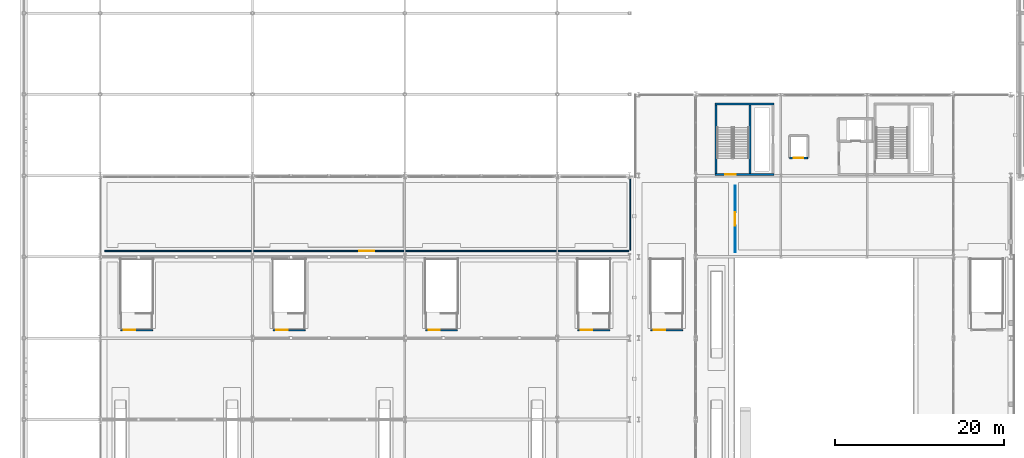
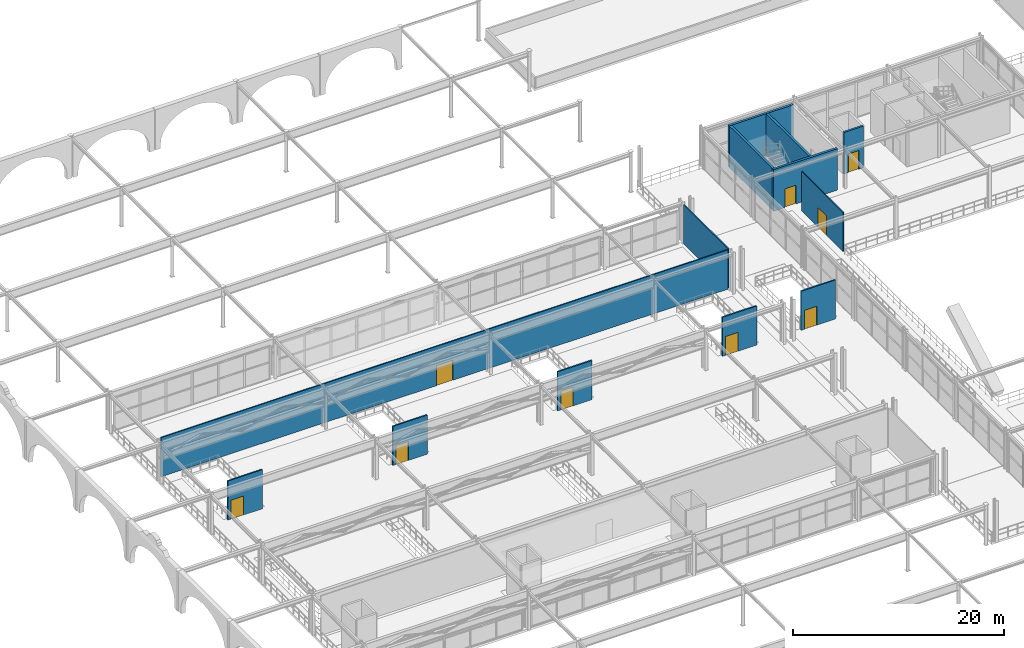
# One storey, part 76 of 125: 13 walls, 9 doors, 9 openings.
"""IFC4 building model written with IfcOpenShell, lengths in metres."""

from ifc_helpers import new_model, si_unit, direction, frame, frame_2d, origin, place, context, subcontext, project, spatial, rectangle, extrude, material, layer, layer_set, type_object, element, fill, save


model = new_model("IFC4")

# Units and contexts
model_context = context("Model", 3, precision=1e-05, world=origin(), true_north=direction((0.0, 1.0)))
body_context = subcontext(model_context, "Body", "Model", "MODEL_VIEW")
ifc_project = project(units=[si_unit("LENGTHUNIT", "METRE"), si_unit("AREAUNIT", "SQUARE_METRE"), si_unit("VOLUMEUNIT", "CUBIC_METRE"), si_unit("PLANEANGLEUNIT", "RADIAN"), si_unit("MASSUNIT", "GRAM", prefix="KILO")], contexts=[model_context])

# Site, building, storey
site_placement = place(None, origin())
site = spatial("IfcSite", under=ifc_project, at=site_placement, CompositionType="ELEMENT")
building_placement = place(site_placement, origin())
building = spatial("IfcBuilding", under=site, at=building_placement, Name="Myrtia Square Station", CompositionType="ELEMENT")
storey_placement = place(building_placement, frame((0.0, 0.0, 6.0)))
storey = spatial("IfcBuildingStorey", under=building, at=storey_placement, Name="L01", CompositionType="ELEMENT", Elevation=6.0)

# Wall, opening, door
ifc_material_1 = material(Name="Concrete C35/45", Category="concrete")
ifc_layer_1 = layer(ifc_material_1, 0.25, Name="Concrete C35/45")
ifc_layer_set_1 = layer_set([ifc_layer_1], Name="Concrete C35/45")
wall_type_1 = type_object("IfcWallType", Name="WL-CORE-250", PredefinedType="SHEAR", material=ifc_layer_set_1)
wall_1_placement = place(storey_placement, frame((81.60009765625, 86.52490234375, 0.0), z_axis=(0.0, 0.0, 1.0), x_axis=(1.0, 0.0, 0.0)))
wall_1 = element("IfcWall", 1, at=wall_1_placement, inside=storey, type_object=wall_type_1, Name="Core K2 shear wall L01 S", PredefinedType="SHEAR", context=body_context, shape_type="SweptSolid", body=[
    extrude(rectangle(XDim=7.0, YDim=0.25, at=frame_2d((3.5, 0.0))), origin(), (0.0, 0.0, 1.0), 4.800048828125),
])
opening_1_placement = place(wall_1_placement, frame((1.25, 0.0, 0.0)))
opening_1 = element("IfcOpeningElement", 2, at=opening_1_placement, cuts=wall_1, Name="Opening SD-015", PredefinedType="OPENING", context=body_context, shape_type="SweptSolid", body=[
    extrude(rectangle(XDim=1.199951171875, YDim=2.14990234375, at=frame_2d((0.60009765625, 1.074951171875))), frame((0.0, 0.139892578125, 0.0), z_axis=(0.0, -1.0, 0.0), x_axis=(1.0, 0.0, 0.0)), (0.0, 0.0, 1.0), 0.280029296875),
])
ifc_material_2 = material(Name="Dark bronze anodised aluminium", Category="aluminium")
door_type_1 = type_object("IfcDoorType", Name="DR-STAIR-1200x2150", OperationType="NOTDEFINED", PredefinedType="DOOR", material=ifc_material_2)
door_1_placement = place(opening_1_placement, origin())
door_1 = element("IfcDoor", 3, at=door_1_placement, inside=storey, type_object=door_type_1, Name="Protected stair fire door K2 L01", OperationType="SINGLE_SWING_LEFT", OverallHeight=2.14990234375, OverallWidth=1.199951171875, PredefinedType="DOOR", context=body_context, shape_type="SweptSolid", body=[
    extrude(rectangle(XDim=1.199951171875, YDim=2.14990234375, at=frame_2d((0.60009765625, 1.074951171875))), frame((0.0, 0.02490234375, 0.0), z_axis=(0.0, -1.0, 0.0), x_axis=(1.0, 0.0, 0.0)), (0.0, 0.0, 1.0), 0.050048828125),
])
fill(opening_1, door_1)

# Walls
wall_2_placement = place(storey_placement, frame((81.60009765625, 94.875, 0.0), z_axis=(0.0, 0.0, 1.0), x_axis=(1.0, 0.0, 0.0)))
element("IfcWall", 4, at=wall_2_placement, inside=storey, type_object=wall_type_1, Name="Core K2 shear wall L01 N", PredefinedType="SHEAR", context=body_context, shape_type="SweptSolid", body=[
    extrude(rectangle(XDim=7.0, YDim=0.25, at=frame_2d((3.5, 0.0))), origin(), (0.0, 0.0, 1.0), 4.800048828125),
])
wall_3_placement = place(storey_placement, frame((81.72509765625, 86.39990234375, 0.0), z_axis=(0.0, 0.0, 1.0), x_axis=(0.0, 1.0, 0.0)))
element("IfcWall", 5, at=wall_3_placement, inside=storey, type_object=wall_type_1, Name="Core K2 shear wall L01 W", PredefinedType="SHEAR", context=body_context, shape_type="SweptSolid", body=[
    extrude(rectangle(XDim=8.60009765625, YDim=0.25, at=frame_2d((4.300048828125, 0.0))), origin(), (0.0, 0.0, 1.0), 4.800048828125),
])
wall_4_placement = place(storey_placement, frame((85.739990234375, 86.60009765625, 0.0), z_axis=(0.0, 0.0, 1.0), x_axis=(0.0, 1.0, 0.0)))
element("IfcWall", 6, at=wall_4_placement, inside=storey, type_object=wall_type_1, Name="Core K2 shear wall L01 D", PredefinedType="SHEAR", context=body_context, shape_type="SweptSolid", body=[
    extrude(rectangle(XDim=8.199951171875, YDim=0.25, at=frame_2d((4.10009765625, 0.0))), origin(), (0.0, 0.0, 1.0), 4.800048828125),
])

# Wall, opening, door
ifc_layer_2 = layer(ifc_material_1, 0.219970703125, Name="Concrete C35/45")
ifc_layer_set_2 = layer_set([ifc_layer_2], Name="Concrete C35/45")
wall_type_2 = type_object("IfcWallType", Name="WL-LIFT-220", PredefinedType="SHEAR", material=ifc_layer_set_2)
wall_5_placement = place(storey_placement, frame((90.43994140625, 88.489990234375, 0.0), z_axis=(0.0, 0.0, 1.0), x_axis=(1.0, 0.0, 0.0)))
wall_5 = element("IfcWall", 7, at=wall_5_placement, inside=storey, type_object=wall_type_2, Name="Lift shaft wall PL-06 L01 -Y", PredefinedType="SHEAR", context=body_context, shape_type="SweptSolid", body=[
    extrude(rectangle(XDim=2.1201171875, YDim=0.219970703125, at=frame_2d((1.06005859375, 0.0))), origin(), (0.0, 0.0, 1.0), 4.800048828125),
])
opening_2_placement = place(wall_5_placement, frame((0.510009765625, 0.0, 0.0)))
opening_2 = element("IfcOpeningElement", 8, at=opening_2_placement, cuts=wall_5, Name="Opening LD-PL-06", PredefinedType="OPENING", context=body_context, shape_type="SweptSolid", body=[
    extrude(rectangle(XDim=1.10009765625, YDim=2.14990234375, at=frame_2d((0.550048828125, 1.074951171875))), frame((0.0, 0.125, 0.0), z_axis=(0.0, -1.0, 0.0), x_axis=(1.0, 0.0, 0.0)), (0.0, 0.0, 1.0), 0.25),
])
door_type_2 = type_object("IfcDoorType", Name="DR-LIFT-1100x2150", OperationType="NOTDEFINED", PredefinedType="DOOR", material=ifc_material_2)
door_2_placement = place(opening_2_placement, origin())
door_2 = element("IfcDoor", 9, at=door_2_placement, inside=storey, type_object=door_type_2, Name="Lift landing door PL-06 L01", OperationType="SLIDING_TO_RIGHT", OverallHeight=2.14990234375, OverallWidth=1.10009765625, PredefinedType="DOOR", context=body_context, shape_type="SweptSolid", body=[
    extrude(rectangle(XDim=1.10009765625, YDim=2.14990234375, at=frame_2d((0.550048828125, 1.074951171875))), frame((0.0, 0.02490234375, 0.0), z_axis=(0.0, -1.0, 0.0), x_axis=(1.0, 0.0, 0.0)), (0.0, 0.0, 1.0), 0.050048828125),
])
fill(opening_2, door_2)

ifc_material_3 = material(Name="Gypsum plasterboard")
ifc_layer_3 = layer(ifc_material_3, 0.10009765625, Name="Gypsum plasterboard")
ifc_layer_set_3 = layer_set([ifc_layer_3], Name="Gypsum plasterboard")
wall_type_3 = type_object("IfcWallType", Name="WL-PART-100", PredefinedType="PARTITIONING", material=ifc_layer_set_3)
wall_6_placement = place(storey_placement, frame((84.0, 77.35009765625, 0.0), z_axis=(0.0, 0.0, 1.0), x_axis=(0.0, 1.0, 0.0)))
wall_6 = element("IfcWall", 10, at=wall_6_placement, inside=storey, type_object=wall_type_3, Name="Interior partition wall L01-07", PredefinedType="PARTITIONING", context=body_context, shape_type="SweptSolid", body=[
    extrude(rectangle(XDim=7.824951171875, YDim=0.10009765625, at=frame_2d((3.91259765625, 0.0))), origin(), (0.0, 0.0, 1.0), 4.530029296875),
])
opening_3_placement = place(wall_6_placement, frame((3.113037109375, 0.0, 0.0)))
opening_3 = element("IfcOpeningElement", 11, at=opening_3_placement, cuts=wall_6, Name="Opening D-239", PredefinedType="OPENING", context=body_context, shape_type="SweptSolid", body=[
    extrude(rectangle(XDim=1.60009765625, YDim=2.25, at=frame_2d((0.800048828125, 1.125))), frame((0.0, 0.06494140625, 0.0), z_axis=(0.0, -1.0, 0.0), x_axis=(1.0, 0.0, 0.0)), (0.0, 0.0, 1.0), 0.130126953125),
])
door_type_3 = type_object("IfcDoorType", Name="DR-CORR-1600x2250", OperationType="NOTDEFINED", PredefinedType="DOOR", material=ifc_material_2)
door_3_placement = place(opening_3_placement, origin())
door_3 = element("IfcDoor", 12, at=door_3_placement, inside=storey, type_object=door_type_3, Name="North Express Rail Waiting Lounge door D-239", OperationType="DOUBLE_DOOR_SINGLE_SWING", OverallHeight=2.25, OverallWidth=1.60009765625, PredefinedType="DOOR", context=body_context, shape_type="SweptSolid", body=[
    extrude(rectangle(XDim=1.60009765625, YDim=2.25, at=frame_2d((0.800048828125, 1.125))), frame((0.0, 0.02490234375, 0.0), z_axis=(0.0, -1.0, 0.0), x_axis=(1.0, 0.0, 0.0)), (0.0, 0.0, 1.0), 0.050048828125),
])
fill(opening_3, door_3)

ifc_layer_4 = layer(ifc_material_3, 0.125, Name="Gypsum plasterboard")
ifc_layer_set_4 = layer_set([ifc_layer_4], Name="Gypsum plasterboard")
wall_type_4 = type_object("IfcWallType", Name="WL-PART-125", PredefinedType="PARTITIONING", material=ifc_layer_set_4)
wall_7_placement = place(storey_placement, frame((9.550048828125, 77.5, 0.0), z_axis=(0.0, 0.0, 1.0), x_axis=(1.0, 0.0, 0.0)))
wall_7 = element("IfcWall", 13, at=wall_7_placement, inside=storey, type_object=wall_type_4, Name="Interior partition wall L01-03", PredefinedType="PARTITIONING", context=body_context, shape_type="SweptSolid", body=[
    extrude(rectangle(XDim=61.89990234375, YDim=0.125, at=frame_2d((30.949951171875, 0.0))), origin(), (0.0, 0.0, 1.0), 4.530029296875),
])
opening_4_placement = place(wall_7_placement, frame((30.050048828125, 0.0, 0.0)))
opening_4 = element("IfcOpeningElement", 14, at=opening_4_placement, cuts=wall_7, Name="Opening D-237", PredefinedType="OPENING", context=body_context, shape_type="SweptSolid", body=[
    extrude(rectangle(XDim=1.800048828125, YDim=2.300048828125, at=frame_2d((0.89990234375, 1.14990234375))), frame((0.0, 0.077392578125, 0.0), z_axis=(0.0, -1.0, 0.0), x_axis=(1.0, 0.0, 0.0)), (0.0, 0.0, 1.0), 0.155029296875),
])
door_type_4 = type_object("IfcDoorType", Name="DR-CORR-1800x2300", OperationType="NOTDEFINED", PredefinedType="DOOR", material=ifc_material_2)
door_4_placement = place(opening_4_placement, frame((1.800048828125, 0.0, 0.0), z_axis=(0.0, 0.0, 1.0), x_axis=(-1.0, 0.0, 0.0)))
door_4 = element("IfcDoor", 15, at=door_4_placement, inside=storey, type_object=door_type_4, Name="Platform Interchange Waiting Gallery North door D-237", OperationType="DOUBLE_DOOR_SINGLE_SWING", OverallHeight=2.300048828125, OverallWidth=1.800048828125, PredefinedType="DOOR", context=body_context, shape_type="SweptSolid", body=[
    extrude(rectangle(XDim=1.800048828125, YDim=2.300048828125, at=frame_2d((0.89990234375, 1.14990234375))), frame((0.0, 0.02490234375, 0.0), z_axis=(0.0, -1.0, 0.0), x_axis=(1.0, 0.0, 0.0)), (0.0, 0.0, 1.0), 0.050048828125),
])
fill(opening_4, door_4)

# Wall
wall_8_placement = place(storey_placement, frame((71.60009765625, 77.5673828125, 0.0), z_axis=(0.0, 0.0, 1.0), x_axis=(0.0, 1.0, 0.0)))
element("IfcWall", 16, at=wall_8_placement, inside=storey, type_object=wall_type_4, Name="Room divider partition L01-03", PredefinedType="PARTITIONING", context=body_context, shape_type="SweptSolid", body=[
    extrude(rectangle(XDim=8.4775390625, YDim=0.125, at=frame_2d((4.23876953125, 0.0))), origin(), (0.0, 0.0, 1.0), 4.530029296875),
])

# Wall, opening, door
ifc_layer_5 = layer(ifc_material_3, 0.14990234375, Name="Gypsum plasterboard")
ifc_layer_set_5 = layer_set([ifc_layer_5], Name="Gypsum plasterboard")
wall_type_5 = type_object("IfcWallType", Name="WL-PART-150", PredefinedType="PARTITIONING", material=ifc_layer_set_5)
wall_9_placement = place(storey_placement, frame((11.43994140625, 68.14990234375, 0.0), z_axis=(0.0, 0.0, 1.0), x_axis=(1.0, 0.0, 0.0)))
wall_9 = element("IfcWall", 17, at=wall_9_placement, inside=storey, type_object=wall_type_5, Name="Interchange stair smoke vestibule wall 01 L01", PredefinedType="PARTITIONING", context=body_context, shape_type="SweptSolid", body=[
    extrude(rectangle(XDim=3.760009765625, YDim=0.14990234375, at=frame_2d((1.8798828125, 0.0))), origin(), (0.0, 0.0, 1.0), 4.530029296875),
])
opening_5_placement = place(wall_9_placement, frame((0.35009765625, 0.0, 0.0)))
opening_5 = element("IfcOpeningElement", 18, at=opening_5_placement, cuts=wall_9, Name="Opening SD-184", PredefinedType="OPENING", context=body_context, shape_type="SweptSolid", body=[
    extrude(rectangle(XDim=1.35009765625, YDim=2.199951171875, at=frame_2d((0.675048828125, 1.10009765625))), frame((0.0, 0.08984375, 0.0), z_axis=(0.0, -1.0, 0.0), x_axis=(1.0, 0.0, 0.0)), (0.0, 0.0, 1.0), 0.179931640625),
])
door_type_5 = type_object("IfcDoorType", Name="DR-STAIR-1350x2200", OperationType="NOTDEFINED", PredefinedType="DOOR", material=ifc_material_2)
door_5_placement = place(opening_5_placement, frame((1.35009765625, 0.0, 0.0), z_axis=(0.0, 0.0, 1.0), x_axis=(-1.0, 0.0, 0.0)))
door_5 = element("IfcDoor", 19, at=door_5_placement, inside=storey, type_object=door_type_5, Name="Interchange stair fire door 01 L01", OperationType="SINGLE_SWING_RIGHT", OverallHeight=2.199951171875, OverallWidth=1.35009765625, PredefinedType="DOOR", context=body_context, shape_type="SweptSolid", body=[
    extrude(rectangle(XDim=1.35009765625, YDim=2.199951171875, at=frame_2d((0.675048828125, 1.10009765625))), frame((0.0, 0.02490234375, 0.0), z_axis=(0.0, -1.0, 0.0), x_axis=(1.0, 0.0, 0.0)), (0.0, 0.0, 1.0), 0.050048828125),
])
fill(opening_5, door_5)

wall_10_placement = place(storey_placement, frame((29.43994140625, 68.14990234375, 0.0), z_axis=(0.0, 0.0, 1.0), x_axis=(1.0, 0.0, 0.0)))
wall_10 = element("IfcWall", 20, at=wall_10_placement, inside=storey, type_object=wall_type_5, Name="Interchange stair smoke vestibule wall 02 L01", PredefinedType="PARTITIONING", context=body_context, shape_type="SweptSolid", body=[
    extrude(rectangle(XDim=3.760009765625, YDim=0.14990234375, at=frame_2d((1.8798828125, 0.0))), origin(), (0.0, 0.0, 1.0), 4.530029296875),
])
opening_6_placement = place(wall_10_placement, frame((0.35009765625, 0.0, 0.0)))
opening_6 = element("IfcOpeningElement", 21, at=opening_6_placement, cuts=wall_10, Name="Opening SD-186", PredefinedType="OPENING", context=body_context, shape_type="SweptSolid", body=[
    extrude(rectangle(XDim=1.35009765625, YDim=2.199951171875, at=frame_2d((0.675048828125, 1.10009765625))), frame((0.0, 0.08984375, 0.0), z_axis=(0.0, -1.0, 0.0), x_axis=(1.0, 0.0, 0.0)), (0.0, 0.0, 1.0), 0.179931640625),
])
door_6_placement = place(opening_6_placement, frame((1.35009765625, 0.0, 0.0), z_axis=(0.0, 0.0, 1.0), x_axis=(-1.0, 0.0, 0.0)))
door_6 = element("IfcDoor", 22, at=door_6_placement, inside=storey, type_object=door_type_5, Name="Interchange stair fire door 02 L01", OperationType="SINGLE_SWING_RIGHT", OverallHeight=2.199951171875, OverallWidth=1.35009765625, PredefinedType="DOOR", context=body_context, shape_type="SweptSolid", body=[
    extrude(rectangle(XDim=1.35009765625, YDim=2.199951171875, at=frame_2d((0.675048828125, 1.10009765625))), frame((0.0, 0.02490234375, 0.0), z_axis=(0.0, -1.0, 0.0), x_axis=(1.0, 0.0, 0.0)), (0.0, 0.0, 1.0), 0.050048828125),
])
fill(opening_6, door_6)

wall_11_placement = place(storey_placement, frame((47.43994140625, 68.14990234375, 0.0), z_axis=(0.0, 0.0, 1.0), x_axis=(1.0, 0.0, 0.0)))
wall_11 = element("IfcWall", 23, at=wall_11_placement, inside=storey, type_object=wall_type_5, Name="Interchange stair smoke vestibule wall 03 L01", PredefinedType="PARTITIONING", context=body_context, shape_type="SweptSolid", body=[
    extrude(rectangle(XDim=3.760009765625, YDim=0.14990234375, at=frame_2d((1.8798828125, 0.0))), origin(), (0.0, 0.0, 1.0), 4.530029296875),
])
opening_7_placement = place(wall_11_placement, frame((0.35009765625, 0.0, 0.0)))
opening_7 = element("IfcOpeningElement", 24, at=opening_7_placement, cuts=wall_11, Name="Opening SD-188", PredefinedType="OPENING", context=body_context, shape_type="SweptSolid", body=[
    extrude(rectangle(XDim=1.35009765625, YDim=2.199951171875, at=frame_2d((0.675048828125, 1.10009765625))), frame((0.0, 0.08984375, 0.0), z_axis=(0.0, -1.0, 0.0), x_axis=(1.0, 0.0, 0.0)), (0.0, 0.0, 1.0), 0.179931640625),
])
door_7_placement = place(opening_7_placement, frame((1.35009765625, 0.0, 0.0), z_axis=(0.0, 0.0, 1.0), x_axis=(-1.0, 0.0, 0.0)))
door_7 = element("IfcDoor", 25, at=door_7_placement, inside=storey, type_object=door_type_5, Name="Interchange stair fire door 03 L01", OperationType="SINGLE_SWING_RIGHT", OverallHeight=2.199951171875, OverallWidth=1.35009765625, PredefinedType="DOOR", context=body_context, shape_type="SweptSolid", body=[
    extrude(rectangle(XDim=1.35009765625, YDim=2.199951171875, at=frame_2d((0.675048828125, 1.10009765625))), frame((0.0, 0.02490234375, 0.0), z_axis=(0.0, -1.0, 0.0), x_axis=(1.0, 0.0, 0.0)), (0.0, 0.0, 1.0), 0.050048828125),
])
fill(opening_7, door_7)

wall_12_placement = place(storey_placement, frame((65.43994140625, 68.14990234375, 0.0), z_axis=(0.0, 0.0, 1.0), x_axis=(1.0, 0.0, 0.0)))
wall_12 = element("IfcWall", 26, at=wall_12_placement, inside=storey, type_object=wall_type_5, Name="Interchange stair smoke vestibule wall 04 L01", PredefinedType="PARTITIONING", context=body_context, shape_type="SweptSolid", body=[
    extrude(rectangle(XDim=3.760009765625, YDim=0.14990234375, at=frame_2d((1.8798828125, 0.0))), origin(), (0.0, 0.0, 1.0), 4.530029296875),
])
opening_8_placement = place(wall_12_placement, frame((0.35009765625, 0.0, 0.0)))
opening_8 = element("IfcOpeningElement", 27, at=opening_8_placement, cuts=wall_12, Name="Opening SD-190", PredefinedType="OPENING", context=body_context, shape_type="SweptSolid", body=[
    extrude(rectangle(XDim=1.35009765625, YDim=2.199951171875, at=frame_2d((0.675048828125, 1.10009765625))), frame((0.0, 0.08984375, 0.0), z_axis=(0.0, -1.0, 0.0), x_axis=(1.0, 0.0, 0.0)), (0.0, 0.0, 1.0), 0.179931640625),
])
door_8_placement = place(opening_8_placement, frame((1.35009765625, 0.0, 0.0), z_axis=(0.0, 0.0, 1.0), x_axis=(-1.0, 0.0, 0.0)))
door_8 = element("IfcDoor", 28, at=door_8_placement, inside=storey, type_object=door_type_5, Name="Interchange stair fire door 04 L01", OperationType="SINGLE_SWING_RIGHT", OverallHeight=2.199951171875, OverallWidth=1.35009765625, PredefinedType="DOOR", context=body_context, shape_type="SweptSolid", body=[
    extrude(rectangle(XDim=1.35009765625, YDim=2.199951171875, at=frame_2d((0.675048828125, 1.10009765625))), frame((0.0, 0.02490234375, 0.0), z_axis=(0.0, -1.0, 0.0), x_axis=(1.0, 0.0, 0.0)), (0.0, 0.0, 1.0), 0.050048828125),
])
fill(opening_8, door_8)

wall_13_placement = place(storey_placement, frame((74.0400390625, 68.14990234375, 0.0), z_axis=(0.0, 0.0, 1.0), x_axis=(1.0, 0.0, 0.0)))
wall_13 = element("IfcWall", 29, at=wall_13_placement, inside=storey, type_object=wall_type_5, Name="Interchange stair smoke vestibule wall 05 L01", PredefinedType="PARTITIONING", context=body_context, shape_type="SweptSolid", body=[
    extrude(rectangle(XDim=3.760009765625, YDim=0.14990234375, at=frame_2d((1.8798828125, 0.0))), origin(), (0.0, 0.0, 1.0), 4.530029296875),
])
opening_9_placement = place(wall_13_placement, frame((0.35009765625, 0.0, 0.0)))
opening_9 = element("IfcOpeningElement", 30, at=opening_9_placement, cuts=wall_13, Name="Opening SD-192", PredefinedType="OPENING", context=body_context, shape_type="SweptSolid", body=[
    extrude(rectangle(XDim=1.35009765625, YDim=2.199951171875, at=frame_2d((0.675048828125, 1.10009765625))), frame((0.0, 0.08984375, 0.0), z_axis=(0.0, -1.0, 0.0), x_axis=(1.0, 0.0, 0.0)), (0.0, 0.0, 1.0), 0.179931640625),
])
door_9_placement = place(opening_9_placement, frame((1.35009765625, 0.0, 0.0), z_axis=(0.0, 0.0, 1.0), x_axis=(-1.0, 0.0, 0.0)))
door_9 = element("IfcDoor", 31, at=door_9_placement, inside=storey, type_object=door_type_5, Name="Interchange stair fire door 05 L01", OperationType="SINGLE_SWING_RIGHT", OverallHeight=2.199951171875, OverallWidth=1.35009765625, PredefinedType="DOOR", context=body_context, shape_type="SweptSolid", body=[
    extrude(rectangle(XDim=1.35009765625, YDim=2.199951171875, at=frame_2d((0.675048828125, 1.10009765625))), frame((0.0, 0.02490234375, 0.0), z_axis=(0.0, -1.0, 0.0), x_axis=(1.0, 0.0, 0.0)), (0.0, 0.0, 1.0), 0.050048828125),
])
fill(opening_9, door_9)

save(model, "model.ifc")
